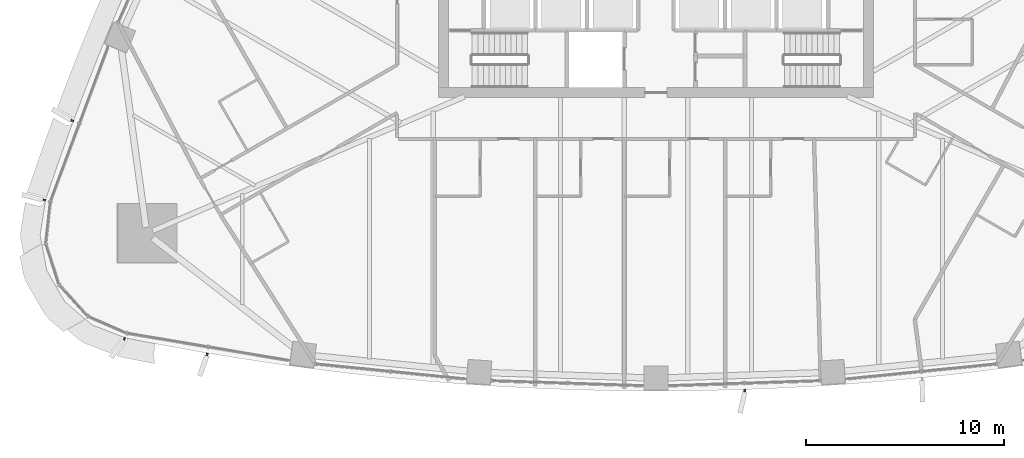
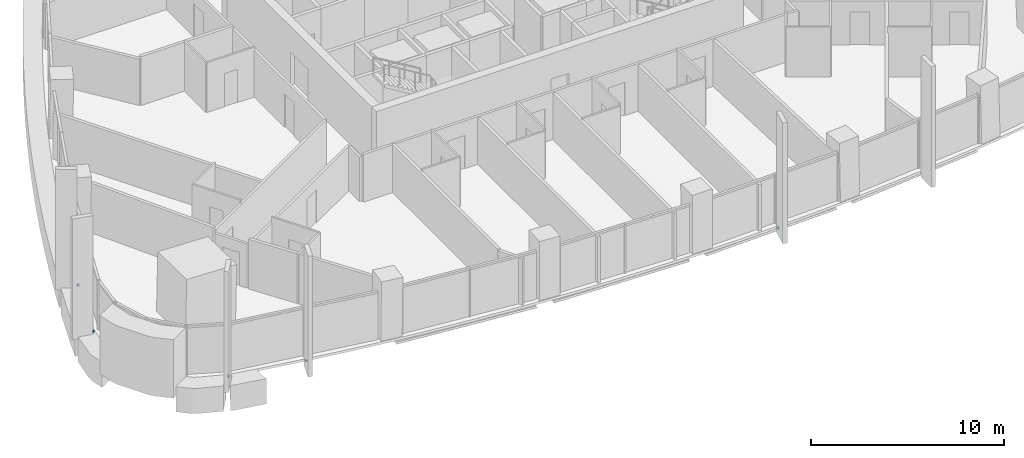
# One storey, part 15 of 22: 5 discrete accessories.
"""IFC4 building model written with IfcOpenShell, lengths in metres."""

from ifc_helpers import new_model, si_unit, direction, frame, origin, origin_2d, place, context, subcontext, project, spatial, rectangle, extrude, material, type_object, element, save


model = new_model("IFC4")

# Units and contexts
model_context = context("Model", 3, precision=1e-05, world=origin(), true_north=direction((0.0, 1.0)))
body_context = subcontext(model_context, "Body", "Model", "MODEL_VIEW")
ifc_project = project(units=[si_unit("LENGTHUNIT", "METRE"), si_unit("AREAUNIT", "SQUARE_METRE"), si_unit("VOLUMEUNIT", "CUBIC_METRE"), si_unit("PLANEANGLEUNIT", "RADIAN"), si_unit("MASSUNIT", "GRAM", prefix="KILO")], contexts=[model_context])

# Site, building, storey
site_placement = place(None, origin())
site = spatial("IfcSite", under=ifc_project, at=site_placement, CompositionType="ELEMENT")
building_placement = place(site_placement, origin())
building = spatial("IfcBuilding", under=site, at=building_placement, Name="Sierra Prisma Convention Tower", CompositionType="ELEMENT")
storey_placement = place(building_placement, frame((0.0, 0.0, 96.10009765625)))
storey = spatial("IfcBuildingStorey", under=building, at=storey_placement, Name="L20", CompositionType="ELEMENT", Elevation=96.10009765625)

# Discrete accessories
ifc_material = material(Name="Stainless steel 316", Category="steel")
discrete_accessory_type = type_object("IfcDiscreteAccessoryType", Name="Fin bracket", PredefinedType="BRACKET", material=ifc_material)
for number, where, z_axis, x_axis, name in (
    (1, (-26.90380859375, -20.213134765625, -0.13525390625), (0.0, 0.0, 1.0), (-0.360785877159, -0.932648674927, 0.0), "Fin bracket L20.1 base"),
    (2, (-22.718994140625, -20.9990234375, -0.13525390625), (0.0, 0.0, 1.0), (-0.163214305028, -0.986590639847, 0.0), "Fin bracket L20.2 base"),
    (3, (4.499267578125, -22.84228515625, -0.13525390625), (0.0, 0.0, 1.0), (0.035633275308, -0.99936493319, 0.0), "Fin bracket L20.11 base"),
    (4, (-29.545166015625, -9.17578125, -0.13525390625), (0.0, 0.0, 1.0), (-0.936019709758, 0.351947585508, 0.0), "Fin bracket L20.59 base"),
    (5, (-30.956787109375, -13.19287109375, -0.13525390625), (0.0, 0.0, 1.0), (-0.988090383872, 0.153874602517, 0.0), "Fin bracket L20.60 base"),
):
    element("IfcDiscreteAccessory", number, at=place(storey_placement, frame(where, z_axis=z_axis, x_axis=x_axis)), inside=storey, type_object=discrete_accessory_type, Name=name, PredefinedType="BRACKET", context=body_context, shape_type="SweptSolid", body=[
        extrude(rectangle(XDim=0.1201171875, YDim=0.10009765625, at=origin_2d()), origin(), (0.0, 0.0, 1.0), 0.1201171875),
    ])

save(model, "model.ifc")
